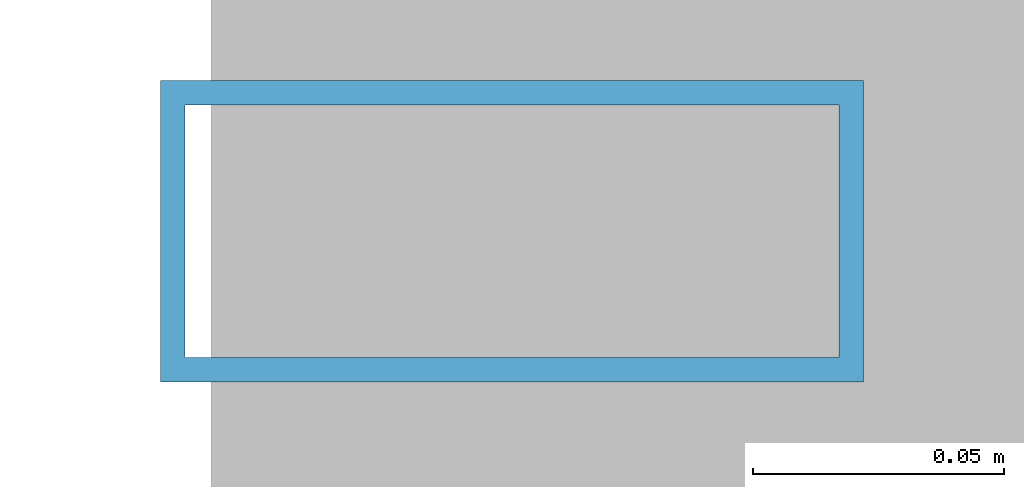
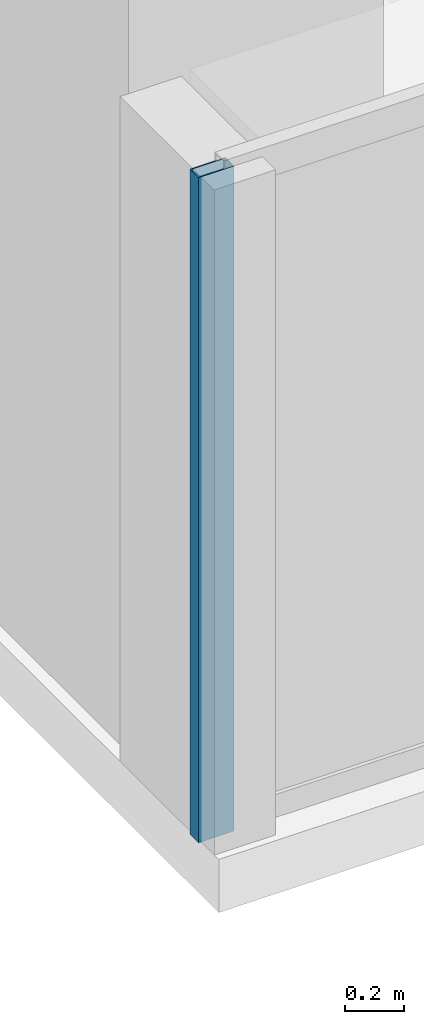
# One storey, part 6 of 31: 1 member, 1 element without a shape of its own.
"""IFC4 building model written with IfcOpenShell, lengths in metres."""

from ifc_helpers import new_model, si_unit, direction, frame, origin, origin_2d, place, context, subcontext, project, spatial, hollow_rectangle, extrude, source, transform, mapped, material, layer, layer_set, material_profile, profile_set, type_object, element, aggregate, save


model = new_model("IFC4")

# Units and contexts
model_context = context("Model", 3, precision=1e-05, world=origin(), true_north=direction((0.0, 1.0)))
body_context = subcontext(model_context, "Body", "Model", "MODEL_VIEW")
ifc_project = project(units=[si_unit("LENGTHUNIT", "METRE"), si_unit("AREAUNIT", "SQUARE_METRE"), si_unit("VOLUMEUNIT", "CUBIC_METRE"), si_unit("PLANEANGLEUNIT", "RADIAN"), si_unit("MASSUNIT", "GRAM", prefix="KILO")], contexts=[model_context])

# Site, building, storey
site_placement = place(None, origin())
site = spatial("IfcSite", under=ifc_project, at=site_placement, CompositionType="ELEMENT")
building_placement = place(site_placement, origin())
building = spatial("IfcBuilding", under=site, at=building_placement, Name="Sumidabori Civic Tower", CompositionType="ELEMENT")
storey_placement = place(building_placement, frame((0.0, 0.0, 221.60009765625)))
storey = spatial("IfcBuildingStorey", under=building, at=storey_placement, Name="L57", CompositionType="ELEMENT", Elevation=221.60009765625)

# Curtain wall, member
ifc_material = material(Name="Anodised Bronze Aluminium AW-6063-T6", Category="aluminium")
ifc_layer = layer(ifc_material, 0.179931640625, Name="Anodised Bronze Aluminium AW-6063-T6")
ifc_layer_set = layer_set([ifc_layer], Name="Anodised Bronze Aluminium AW-6063-T6")
curtain_wall_type = type_object("IfcCurtainWallType", Name="CW-SYS-5", PredefinedType="NOTDEFINED", material=ifc_layer_set)
curtain_wall_placement = place(storey_placement, origin())
curtain_wall = element("IfcCurtainWall", 1, at=curtain_wall_placement, inside=storey, type_object=curtain_wall_type, Name="Curtain Wall CW:L57:R10", PredefinedType="NOTDEFINED")
ifc_material_profile = material_profile(ifc_material, hollow_rectangle(XDim=0.06005859375, YDim=0.139892578125, WallThickness=0.0048828125, at=origin_2d()), Name="ALU MULLION 140x60")
ifc_profile_set = profile_set([ifc_material_profile], Name="Anodised Bronze Aluminium AW-6063-T6")
member_type = type_object("IfcMemberType", Name="CW-MUL-140", PredefinedType="MULLION", material=ifc_profile_set)
shared_shape = source(origin(), body_context, "Body", "SweptSolid", [
    extrude(hollow_rectangle(XDim=0.06005859375, YDim=0.139892578125, WallThickness=0.0048828125, at=origin_2d()), origin(), (0.0, 0.0, 1.0), 2.760009765625),
])
member_placement = place(storey_placement, frame((7.909912109375, -11.85009765625, 0.0), z_axis=(0.0, 0.0, 1.0), x_axis=(0.0, 1.0, 0.0)))
member = element("IfcMember", 2, at=member_placement, type_object=member_type, Name="CW-5 mullion 1", PredefinedType="MULLION", context=body_context, shape_type="MappedRepresentation", body=[
    mapped(shared_shape, transform((0.0, 0.0, 0.0), x_axis=(1.0, 0.0, 0.0), y_axis=(0.0, 1.0, 0.0), z_axis=(0.0, 0.0, 1.0), scale=1.0)),
])
aggregate(curtain_wall, [member])

save(model, "model.ifc")
